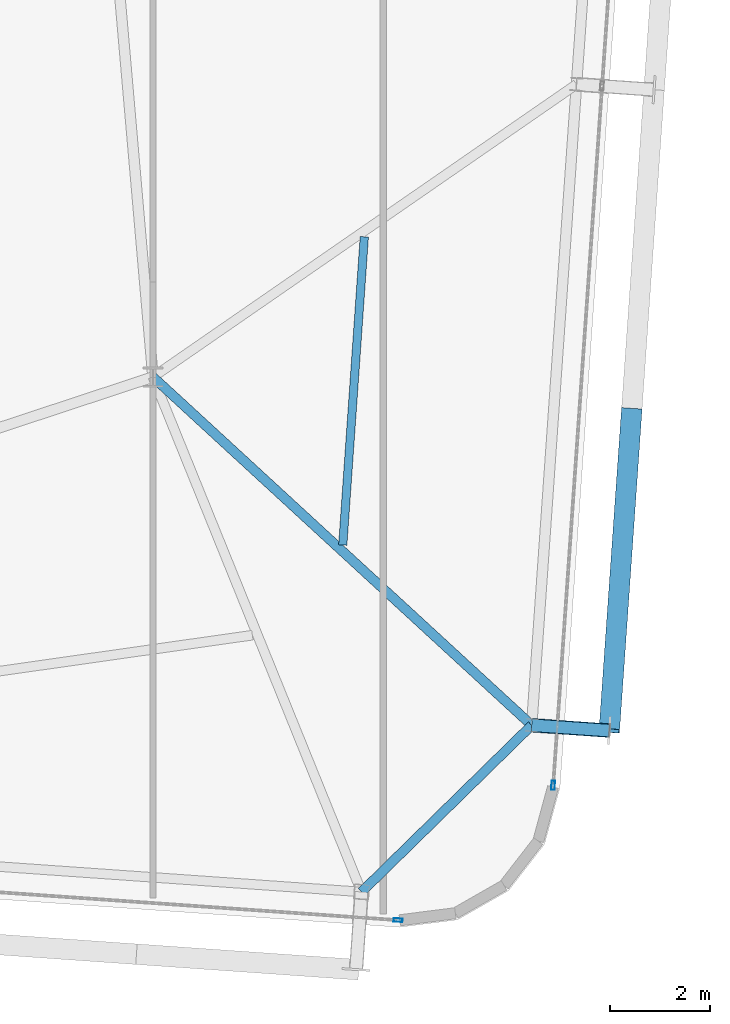
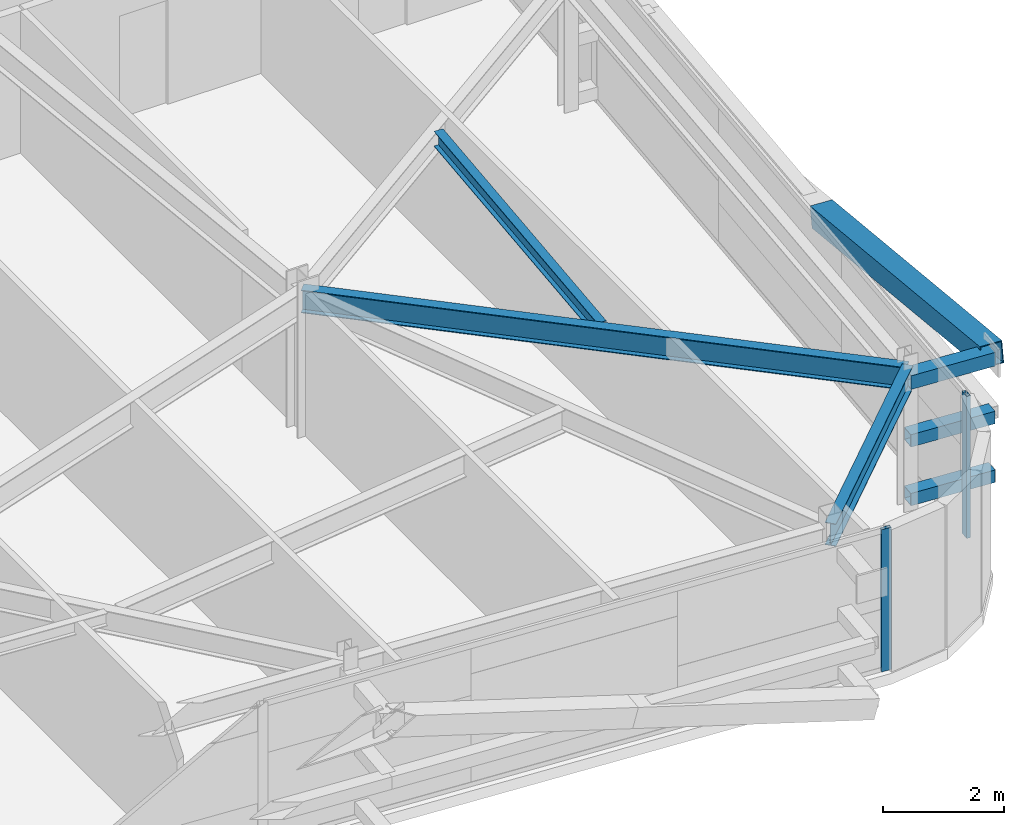
# One storey, part 15 of 39: 6 members, 3 beams, 2 elements without a shape of their own.
"""IFC4 building model written with IfcOpenShell, lengths in metres."""

from ifc_helpers import new_model, si_unit, direction, frame, origin, origin_2d, place, context, subcontext, project, spatial, hollow_rectangle, i_section, extrude, source, transform, mapped, material, layer, layer_set, material_profile, profile_set, type_object, element, aggregate, save


model = new_model("IFC4")

# Units and contexts
model_context = context("Model", 3, precision=1e-05, world=origin(), true_north=direction((0.0, 1.0)))
body_context = subcontext(model_context, "Body", "Model", "MODEL_VIEW")
ifc_project = project(units=[si_unit("LENGTHUNIT", "METRE"), si_unit("AREAUNIT", "SQUARE_METRE"), si_unit("VOLUMEUNIT", "CUBIC_METRE"), si_unit("PLANEANGLEUNIT", "RADIAN"), si_unit("MASSUNIT", "GRAM", prefix="KILO")], contexts=[model_context])

# Site, building, storey
site_placement = place(None, origin())
site = spatial("IfcSite", under=ifc_project, at=site_placement, CompositionType="ELEMENT")
building_placement = place(site_placement, origin())
building = spatial("IfcBuilding", under=site, at=building_placement, Name="Taldren Reach Tower", CompositionType="ELEMENT")
storey_placement = place(building_placement, frame((0.0, 0.0, 161.35009765625)))
storey = spatial("IfcBuildingStorey", under=building, at=storey_placement, Name="L49", CompositionType="ELEMENT", Elevation=161.35009765625)

# Members
ifc_material_1 = material(Name="Steel Gr 450 (C450L0)", Category="steel")
ifc_material_profile_1 = material_profile(ifc_material_1, hollow_rectangle(XDim=0.27490234375, YDim=0.27490234375, WallThickness=0.00927734375, at=origin_2d()), Name="275x275x9.3SHS")
ifc_profile_set_1 = profile_set([ifc_material_profile_1], Name="Steel Gr 450 (C450L0)")
member_type_1 = type_object("IfcMemberType", Name="MB-TIE273", PredefinedType="STRUT", material=ifc_profile_set_1)
shared_shape_1 = source(origin(), body_context, "Body", "SweptSolid", [
    extrude(hollow_rectangle(XDim=0.27490234375, YDim=0.27490234375, WallThickness=0.00927734375, at=origin_2d()), origin(), (0.0, 0.0, 1.0), 1.5498046875),
])
member_1_placement = place(storey_placement, frame((59.54541015625, 5.562744140625, 2.58984375), z_axis=(0.997573320145, -0.069623781384, 0.0), x_axis=(0.069623781384, 0.997573320145, 0.0)))
element("IfcMember", 1, at=member_1_placement, inside=storey, type_object=member_type_1, Name="Exoskeleton diaphragm tie strut B3-E1 L49", PredefinedType="STRUT", context=body_context, shape_type="MappedRepresentation", body=[
    mapped(shared_shape_1, transform((0.0, 0.0, 0.0), scale=1.0)),
])
ifc_material_2 = material(Name="Steel Gr 350 (C350L0)", Category="steel")
ifc_material_profile_2 = material_profile(ifc_material_2, hollow_rectangle(XDim=0.25, YDim=0.25, WallThickness=0.010009765625, at=origin_2d()), Name="250x250x10.0SHS")
ifc_profile_set_2 = profile_set([ifc_material_profile_2], Name="Steel Gr 350 (C350L0)")
member_type_2 = type_object("IfcMemberType", Name="MB-POST250", PredefinedType="POST", material=ifc_profile_set_2)
shared_shape_2 = source(origin(), body_context, "Body", "SweptSolid", [
    extrude(hollow_rectangle(XDim=0.25, YDim=0.25, WallThickness=0.010009765625, at=origin_2d()), origin(), (0.0, 0.0, 1.0), 1.5498046875),
])
for number, where, z_axis, x_axis, name in (
    (2, (59.54541015625, 5.562744140625, 0.219970703125), (0.997573320145, -0.069623781384, 0.0), (0.069623781384, 0.997573320145, 0.0), "Exoskeleton base diaphragm tie strut B3-E1 L49"),
    (3, (59.54541015625, 5.562744140625, 1.40478515625), (0.997573320145, -0.069623781384, 0.0), (0.069623781384, 0.997573320145, 0.0), "Exoskeleton mid-tier diaphragm tie B3-E1 L49"),
):
    element("IfcMember", number, at=place(storey_placement, frame(where, z_axis=z_axis, x_axis=x_axis)), inside=storey, type_object=member_type_2, Name=name, PredefinedType="POST", context=body_context, shape_type="MappedRepresentation", body=[
        mapped(shared_shape_2, transform((0.0, 0.0, 0.0), scale=1.0)),
    ])

# Beams
ifc_material_3 = material(Name="Steel Gr 350 (350PLUS)", Category="steel")
ifc_material_profile_3 = material_profile(ifc_material_3, i_section(OverallWidth=0.18994140625, OverallDepth=0.4541015625, WebThickness=0.008544921875, FlangeThickness=0.0126953125, at=origin_2d()), Name="460UB67.1")
ifc_profile_set_3 = profile_set([ifc_material_profile_3], Name="Steel Gr 350 (350PLUS)")
beam_type_1 = type_object("IfcBeamType", Name="SP-UB460B", PredefinedType="SPANDREL", material=ifc_profile_set_3)
shared_shape_3 = source(origin(), body_context, "Body", "SweptSolid", [
    extrude(i_section(OverallWidth=0.18994140625, OverallDepth=0.4541015625, WebThickness=0.008544921875, FlangeThickness=0.0126953125, at=origin_2d()), origin(), (0.0, 0.0, 1.0), 4.745849609375),
])
beam_1_placement = place(storey_placement, frame((56.155517578125, 2.2412109375, 2.642822265625), z_axis=(0.714271982806, 0.699868226581, 0.0), x_axis=(-0.699868226581, 0.714271982806, 0.0)))
element("IfcBeam", 4, at=beam_1_placement, inside=storey, type_object=beam_type_1, Name="Perimeter spandrel B3 S6-E1 L49", PredefinedType="SPANDREL", context=body_context, shape_type="MappedRepresentation", body=[
    mapped(shared_shape_3, transform((0.0, 0.0, 0.0), scale=1.0)),
])
ifc_material_profile_4 = material_profile(ifc_material_3, i_section(OverallWidth=0.19091796875, OverallDepth=0.4599609375, WebThickness=0.010009765625, FlangeThickness=0.01611328125, at=origin_2d()), Name="460UB82.1")
ifc_profile_set_4 = profile_set([ifc_material_profile_4], Name="Steel Gr 350 (350PLUS)")
beam_type_2 = type_object("IfcBeamType", Name="BM-UB460A", PredefinedType="BEAM", material=ifc_profile_set_4)
shared_shape_4 = source(origin(), body_context, "Body", "SweptSolid", [
    extrude(i_section(OverallWidth=0.19091796875, OverallDepth=0.4599609375, WebThickness=0.010009765625, FlangeThickness=0.01611328125, at=origin_2d()), origin(), (0.0, 0.0, 1.0), 10.249755859375),
])
beam_2_placement = place(storey_placement, frame((52.0, 12.5, 2.639892578125), z_axis=(0.736150772628, -0.676817582483, 0.0), x_axis=(0.676817582483, 0.736150772628, 0.0)))
element("IfcBeam", 5, at=beam_2_placement, inside=storey, type_object=beam_type_2, Name="Primary floor girder B3-E1 L49", PredefinedType="BEAM", context=body_context, shape_type="MappedRepresentation", body=[
    mapped(shared_shape_4, transform((0.0, 0.0, 0.0), scale=1.0)),
])
ifc_material_4 = material(Name="Steel Gr 300 (300PLUS, 300 MPa)", Category="steel")
ifc_material_profile_5 = material_profile(ifc_material_4, i_section(OverallWidth=0.166015625, OverallDepth=0.306884765625, WebThickness=0.006591796875, FlangeThickness=0.01171875, at=origin_2d()), Name="310UB46.2")
ifc_profile_set_5 = profile_set([ifc_material_profile_5], Name="Steel Gr 300 (300PLUS, 300 MPa)")
beam_type_3 = type_object("IfcBeamType", Name="JS-UB310", PredefinedType="JOIST", material=ifc_profile_set_5)
shared_shape_5 = source(origin(), body_context, "Body", "SweptSolid", [
    extrude(i_section(OverallWidth=0.166015625, OverallDepth=0.306884765625, WebThickness=0.006591796875, FlangeThickness=0.01171875, at=origin_2d()), origin(), (0.0, 0.0, 1.0), 6.155517578125),
])
beam_3_placement = place(storey_placement, frame((55.78125, 9.1533203125, 2.71630859375), z_axis=(0.069764400024, 0.997563495969, 0.0), x_axis=(-0.997563495969, 0.069764400024, 0.0)))
element("IfcBeam", 6, at=beam_3_placement, inside=storey, type_object=beam_type_3, Name="Secondary floor joist B3 J7 L49", PredefinedType="JOIST", context=body_context, shape_type="MappedRepresentation", body=[
    mapped(shared_shape_5, transform((0.0, 0.0, 0.0), scale=1.0)),
])

# Member
ifc_material_profile_6 = material_profile(ifc_material_1, hollow_rectangle(XDim=0.409912109375, YDim=0.409912109375, WallThickness=0.01611328125, at=origin_2d()), Name="410x410x16.0SHS")
ifc_profile_set_6 = profile_set([ifc_material_profile_6], Name="Steel Gr 450 (C450L0)")
member_type_3 = type_object("IfcMemberType", Name="MB-EXO406", PredefinedType="BRACE", material=ifc_profile_set_6)
shared_shape_6 = source(origin(), body_context, "Body", "SweptSolid", [
    extrude(hollow_rectangle(XDim=0.409912109375, YDim=0.409912109375, WallThickness=0.01611328125, at=origin_2d()), origin(), (0.0, 0.0, 1.0), 6.5087890625),
])
member_2_placement = place(storey_placement, frame((61.5380859375, 11.839111328125, 1.40478515625), z_axis=(-0.068605932211, -0.980888533251, 0.182073917415), x_axis=(0.997562951496, -0.069772185021, 0.0)))
element("IfcMember", 7, at=member_2_placement, inside=storey, type_object=member_type_3, Name="Exoskeleton Diagrid Brace B3-E1 L49", PredefinedType="BRACE", context=body_context, shape_type="MappedRepresentation", body=[
    mapped(shared_shape_6, transform((0.0, 0.0, 0.0), scale=1.0)),
])

# Curtain wall, member
ifc_material_5 = material(Name="Aluminium and Low-E Glass Unitised System", Category="aluminium")
ifc_layer = layer(ifc_material_5, 0.159912109375)
ifc_layer_set = layer_set([ifc_layer], Name="Aluminium and Low-E Glass Unitised System")
curtain_wall_type = type_object("IfcCurtainWallType", Name="CW-SYS-4", PredefinedType="NOTDEFINED", material=ifc_layer_set)
curtain_wall_1_placement = place(storey_placement, origin())
curtain_wall_1 = element("IfcCurtainWall", 8, at=curtain_wall_1_placement, inside=storey, type_object=curtain_wall_type, Name="Unitised curtain wall CW-L49-S", PredefinedType="NOTDEFINED")
ifc_material_6 = material(Name="Anodised Aluminium 6063-T6", Category="aluminium")
ifc_material_profile_7 = material_profile(ifc_material_6, hollow_rectangle(XDim=0.070068359375, YDim=0.179931640625, WallThickness=0.00390625, at=origin_2d()), Name="ALU-180x70x4RHS")
ifc_profile_set_7 = profile_set([ifc_material_profile_7], Name="Anodised Aluminium 6063-T6")
member_type_4 = type_object("IfcMemberType", Name="CW-MUL-180", PredefinedType="MULLION", material=ifc_profile_set_7)
shared_shape_7 = source(origin(), body_context, "Body", "SweptSolid", [
    extrude(hollow_rectangle(XDim=0.070068359375, YDim=0.179931640625, WallThickness=0.00390625, at=origin_2d()), origin(), (0.0, 0.0, 1.0), 2.869873046875),
])
member_3_placement = place(storey_placement, frame((56.883056640625, 1.67919921875, 0.0), z_axis=(0.0, 0.0, 1.0), x_axis=(0.06975651593, 0.99756404731, 0.0)))
member_3 = element("IfcMember", 9, at=member_3_placement, type_object=member_type_4, Name="CW-4 mullion 5", PredefinedType="MULLION", context=body_context, shape_type="MappedRepresentation", body=[
    mapped(shared_shape_7, transform((0.0, 0.0, 0.0), scale=1.0)),
])
aggregate(curtain_wall_1, [member_3])

curtain_wall_2_placement = place(storey_placement, origin())
curtain_wall_2 = element("IfcCurtainWall", 10, at=curtain_wall_2_placement, inside=storey, type_object=curtain_wall_type, Name="Unitised curtain wall CW-L49-E", PredefinedType="NOTDEFINED")
member_4_placement = place(storey_placement, frame((59.972900390625, 4.365234375, 0.0), z_axis=(0.0, 0.0, 1.0), x_axis=(-0.997564052812, 0.069756437251, 0.0)))
member_4 = element("IfcMember", 11, at=member_4_placement, type_object=member_type_4, Name="CW-4 mullion 1", PredefinedType="MULLION", context=body_context, shape_type="MappedRepresentation", body=[
    mapped(shared_shape_7, transform((0.0, 0.0, 0.0), scale=1.0)),
])
aggregate(curtain_wall_2, [member_4])

save(model, "model.ifc")
